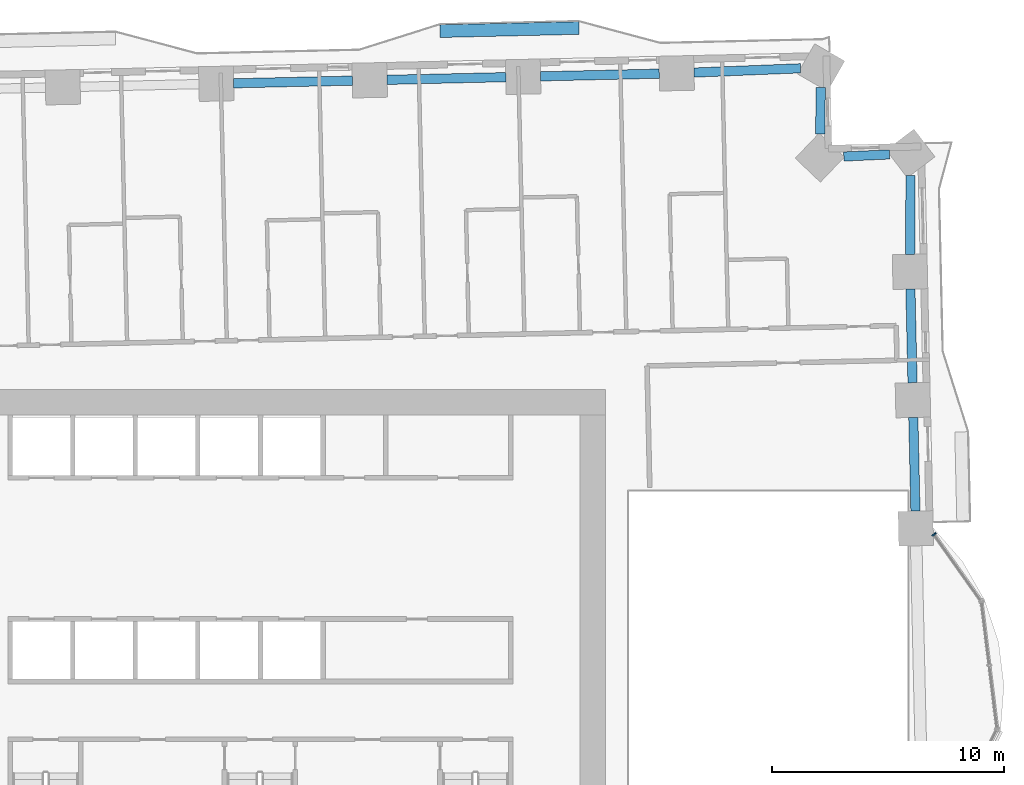
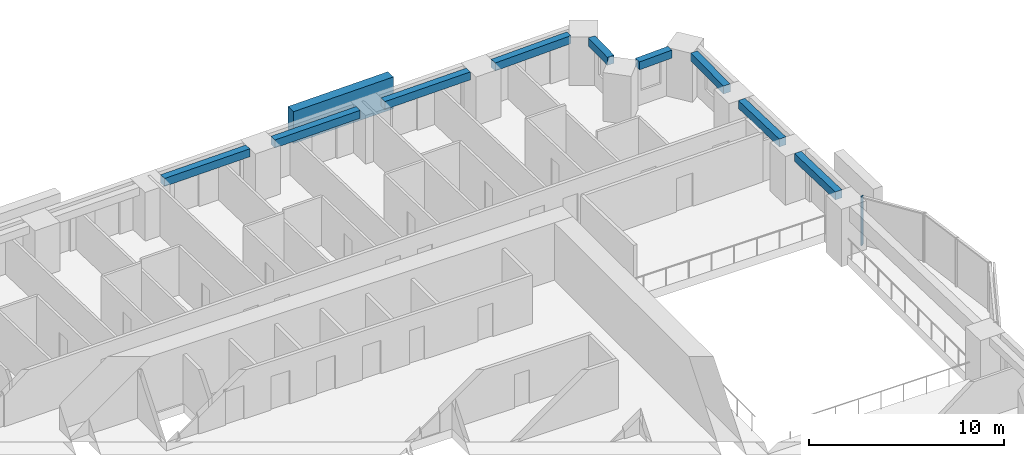
# One storey, part 2 of 16: 9 beams, 2 members, 1 element without a shape of its own.
"""IFC4 building model written with IfcOpenShell, lengths in metres."""

from ifc_helpers import new_model, si_unit, direction, frame, origin, origin_2d, place, context, subcontext, project, spatial, rectangle, extrude, material, material_profile, profile_set, type_object, element, aggregate, save


model = new_model("IFC4")

# Units and contexts
model_context = context("Model", 3, precision=1e-05, world=origin(), true_north=direction((0.0, 1.0)))
body_context = subcontext(model_context, "Body", "Model", "MODEL_VIEW")
ifc_project = project(units=[si_unit("LENGTHUNIT", "METRE"), si_unit("AREAUNIT", "SQUARE_METRE"), si_unit("VOLUMEUNIT", "CUBIC_METRE"), si_unit("PLANEANGLEUNIT", "RADIAN"), si_unit("MASSUNIT", "GRAM", prefix="KILO")], contexts=[model_context])

# Site, building, storey
site_placement = place(None, origin())
site = spatial("IfcSite", under=ifc_project, at=site_placement, CompositionType="ELEMENT")
building_placement = place(site_placement, origin())
building = spatial("IfcBuilding", under=site, at=building_placement, Name="Mangrove Gate Tower", CompositionType="ELEMENT")
storey_placement = place(building_placement, frame((0.0, 0.0, 48.5)))
storey = spatial("IfcBuildingStorey", under=building, at=storey_placement, Name="L11", CompositionType="ELEMENT", Elevation=48.5)

# Curtain wall, member
ifc_material_1 = material(Name="Aluminium and glass curtain wall", Category="aluminium")
curtain_wall_type = type_object("IfcCurtainWallType", Name="Atrium garden-court glazing wall", PredefinedType="NOTDEFINED", material=ifc_material_1)
curtain_wall_placement = place(storey_placement, origin())
curtain_wall = element("IfcCurtainWall", 1, at=curtain_wall_placement, inside=storey, type_object=curtain_wall_type, Name="Atrium garden-court glazing E1f3", PredefinedType="NOTDEFINED")
ifc_material_2 = material(Name="Aluminium alloy 6063-T6", Category="aluminium")
ifc_material_profile_1 = material_profile(ifc_material_2, rectangle(XDim=0.070068359375, YDim=0.199951171875, at=origin_2d()))
ifc_profile_set_1 = profile_set([ifc_material_profile_1], Name="Aluminium alloy 6063-T6")
member_type_1 = type_object("IfcMemberType", Name="Atrium garden-court glazing mullion 70x200", PredefinedType="MULLION", material=ifc_profile_set_1)
member_1_placement = place(storey_placement, frame((29.07177734375, 5.64892578125, 0.0), z_axis=(0.0, 0.0, 1.0), x_axis=(-0.578122631637, 0.815949889877, 0.0)))
member_1 = element("IfcMember", 2, at=member_1_placement, type_object=member_type_1, Name="CWA mullion 2", PredefinedType="MULLION", context=body_context, shape_type="SweptSolid", body=[
    extrude(rectangle(XDim=0.070068359375, YDim=0.199951171875, at=origin_2d()), origin(), (0.0, 0.0, 1.0), 3.050048828125),
])
aggregate(curtain_wall, [member_1])

# Member
ifc_material_3 = material(Name="Planting on aluminium trellis", Category="aluminium")
ifc_material_profile_2 = material_profile(ifc_material_3, rectangle(XDim=0.550048828125, YDim=2.0, at=origin_2d()))
ifc_profile_set_2 = profile_set([ifc_material_profile_2], Name="Planting on aluminium trellis")
member_type_2 = type_object("IfcMemberType", Name="Balcony greenery screen 550x2000", PredefinedType="USERDEFINED", material=ifc_profile_set_2)
member_2_placement = place(storey_placement, frame((7.743896484375, 27.368896484375, 1.800048828125), z_axis=(0.999743178102, 0.022662255828, 0.0), x_axis=(-0.022662255828, 0.999743178102, 0.0)))
element("IfcMember", 3, at=member_2_placement, inside=storey, type_object=member_type_2, Name="GREEN SCREEN L11 N0.1", ObjectType="PLANTING", PredefinedType="USERDEFINED", context=body_context, shape_type="SweptSolid", body=[
    extrude(rectangle(XDim=0.550048828125, YDim=2.0, at=origin_2d()), origin(), (0.0, 0.0, 1.0), 6.00048828125),
])

# Beams
ifc_material_4 = material(Name="Concrete C50/60", Category="concrete")
ifc_material_profile_3 = material_profile(ifc_material_4, rectangle(XDim=0.39990234375, YDim=0.5, at=origin_2d()))
ifc_profile_set_3 = profile_set([ifc_material_profile_3], Name="Concrete C50/60")
beam_type = type_object("IfcBeamType", Name="Edge beam RC 400x500 C50/60", PredefinedType="BEAM", material=ifc_profile_set_3)
beam_1_placement = place(storey_placement, frame((28.26904296875, 6.65478515625, 2.800048828125), z_axis=(-0.022713172236, 0.999742022627, 0.0), x_axis=(-0.999742022627, -0.022713172236, 0.0)))
element("IfcBeam", 4, at=beam_1_placement, inside=storey, type_object=beam_type, Name="Edge beam L11 18", PredefinedType="BEAM", context=body_context, shape_type="SweptSolid", body=[
    extrude(rectangle(XDim=0.39990234375, YDim=0.5, at=origin_2d()), origin(), (0.0, 0.0, 1.0), 4.04150390625),
])
beam_2_placement = place(storey_placement, frame((28.143310546875, 12.19482421875, 2.800048828125), z_axis=(-0.022586963022, 0.999744882008, 0.0), x_axis=(-0.999744882008, -0.022586963022, 0.0)))
element("IfcBeam", 5, at=beam_2_placement, inside=storey, type_object=beam_type, Name="Edge beam L11 19", PredefinedType="BEAM", context=body_context, shape_type="SweptSolid", body=[
    extrude(rectangle(XDim=0.39990234375, YDim=0.5, at=origin_2d()), origin(), (0.0, 0.0, 1.0), 4.04248046875),
])
beam_3_placement = place(storey_placement, frame((28.0390625, 17.736328125, 2.800048828125), z_axis=(0.005012109462, 0.9999874393, 0.0), x_axis=(-0.9999874393, 0.005012109462, 0.0)))
element("IfcBeam", 6, at=beam_3_placement, inside=storey, type_object=beam_type, Name="Edge beam L11 20", PredefinedType="BEAM", context=body_context, shape_type="SweptSolid", body=[
    extrude(rectangle(XDim=0.39990234375, YDim=0.5, at=origin_2d()), origin(), (0.0, 0.0, 1.0), 3.40966796875),
])
beam_4_placement = place(storey_placement, frame((27.152099609375, 22.04833984375, 2.800048828125), z_axis=(-0.998943948206, -0.045945493167, 0.0), x_axis=(0.045945493167, -0.998943948206, 0.0)))
element("IfcBeam", 7, at=beam_4_placement, inside=storey, type_object=beam_type, Name="Edge beam L11 21", PredefinedType="BEAM", context=body_context, shape_type="SweptSolid", body=[
    extrude(rectangle(XDim=0.39990234375, YDim=0.5, at=origin_2d()), origin(), (0.0, 0.0, 1.0), 1.976806640625),
])
beam_5_placement = place(storey_placement, frame((24.156005859375, 22.933349609375, 2.800048828125), z_axis=(0.013971904574, 0.999902388177, 0.0), x_axis=(-0.999902388177, 0.013971904574, 0.0)))
element("IfcBeam", 8, at=beam_5_placement, inside=storey, type_object=beam_type, Name="Edge beam L11 22", PredefinedType="BEAM", context=body_context, shape_type="SweptSolid", body=[
    extrude(rectangle(XDim=0.39990234375, YDim=0.5, at=origin_2d()), origin(), (0.0, 0.0, 1.0), 2.009521484375),
])
beam_6_placement = place(storey_placement, frame((23.311279296875, 25.764892578125, 2.800048828125), z_axis=(-0.999201890594, -0.039944734743, 0.0), x_axis=(0.039944734743, -0.999201890594, 0.0)))
element("IfcBeam", 9, at=beam_6_placement, inside=storey, type_object=beam_type, Name="Edge beam L11 23", PredefinedType="BEAM", context=body_context, shape_type="SweptSolid", body=[
    extrude(rectangle(XDim=0.39990234375, YDim=0.5, at=origin_2d()), origin(), (0.0, 0.0, 1.0), 4.602294921875),
])
beam_7_placement = place(storey_placement, frame((17.213134765625, 25.5341796875, 2.800048828125), z_axis=(-0.999739592542, -0.022819883957, 0.0), x_axis=(0.022819883957, -0.999739592542, 0.0)))
element("IfcBeam", 10, at=beam_7_placement, inside=storey, type_object=beam_type, Name="Edge beam L11 24", PredefinedType="BEAM", context=body_context, shape_type="SweptSolid", body=[
    extrude(rectangle(XDim=0.39990234375, YDim=0.5, at=origin_2d()), origin(), (0.0, 0.0, 1.0), 5.12451171875),
])
beam_8_placement = place(storey_placement, frame((10.59033203125, 25.38330078125, 2.800048828125), z_axis=(-0.999742965414, -0.022671636567, 0.0), x_axis=(0.022671636567, -0.999742965414, 0.0)))
element("IfcBeam", 11, at=beam_8_placement, inside=storey, type_object=beam_type, Name="Edge beam L11 25", PredefinedType="BEAM", context=body_context, shape_type="SweptSolid", body=[
    extrude(rectangle(XDim=0.39990234375, YDim=0.5, at=origin_2d()), origin(), (0.0, 0.0, 1.0), 5.125732421875),
])
beam_9_placement = place(storey_placement, frame((3.966064453125, 25.233154296875, 2.800048828125), z_axis=(-0.999743921904, -0.022629419247, 0.0), x_axis=(0.022629419247, -0.999743921904, 0.0)))
element("IfcBeam", 12, at=beam_9_placement, inside=storey, type_object=beam_type, Name="Edge beam L11 26", PredefinedType="BEAM", context=body_context, shape_type="SweptSolid", body=[
    extrude(rectangle(XDim=0.39990234375, YDim=0.5, at=origin_2d()), origin(), (0.0, 0.0, 1.0), 5.12451171875),
])

save(model, "model.ifc")
